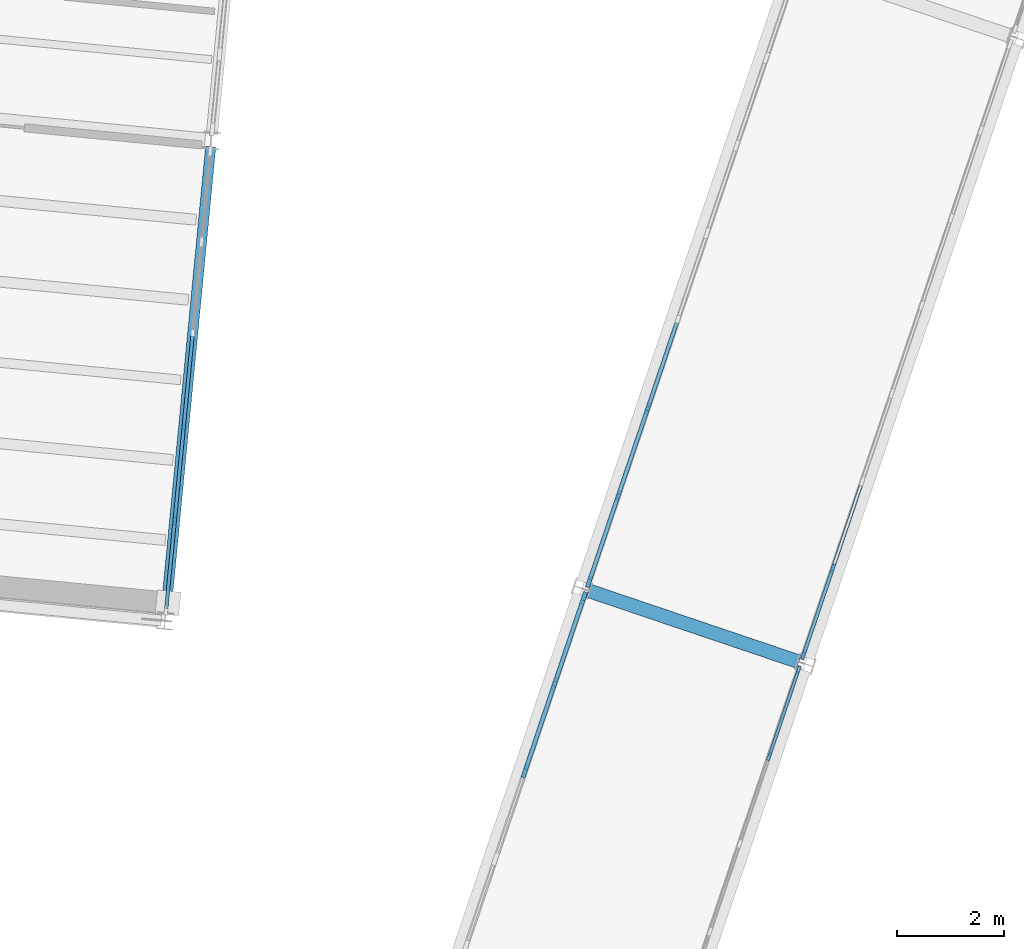
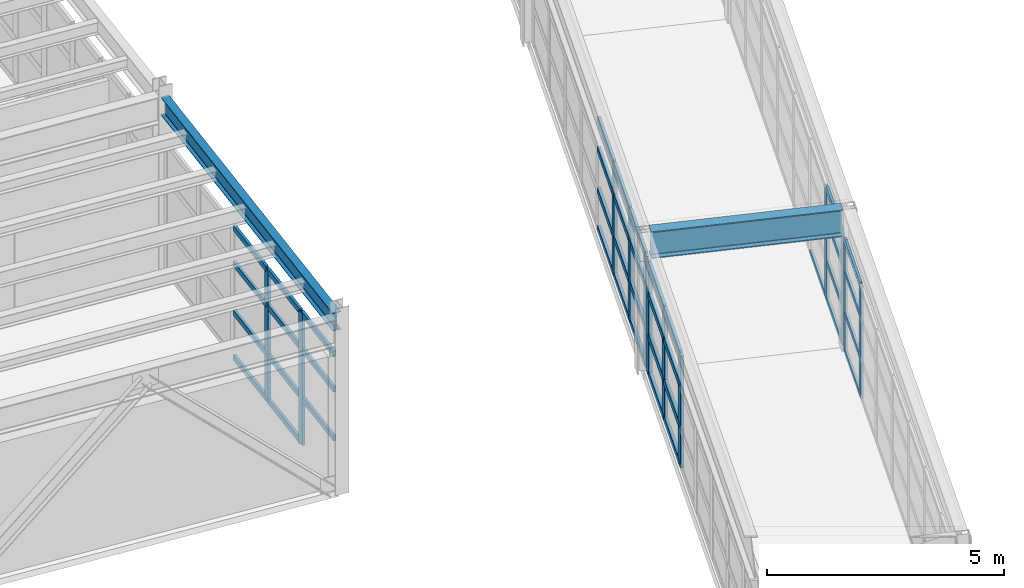
# One storey, part 36 of 102: 52 members, 2 beams, 5 elements without a shape of their own.
"""IFC4 building model written with IfcOpenShell, lengths in metres."""

from ifc_helpers import new_model, si_unit, direction, frame, origin, origin_2d, place, context, subcontext, project, spatial, rectangle, i_section, extrude, material, layer, layer_set, material_profile, profile_set, type_object, element, aggregate, save


model = new_model("IFC4")

# Units and contexts
model_context = context("Model", 3, precision=1e-05, world=origin(), true_north=direction((0.0, 1.0)))
body_context = subcontext(model_context, "Body", "Model", "MODEL_VIEW")
ifc_project = project(units=[si_unit("LENGTHUNIT", "METRE"), si_unit("AREAUNIT", "SQUARE_METRE"), si_unit("VOLUMEUNIT", "CUBIC_METRE"), si_unit("PLANEANGLEUNIT", "RADIAN"), si_unit("MASSUNIT", "GRAM", prefix="KILO")], contexts=[model_context])

# Site, building, storey
site_placement = place(None, origin())
site = spatial("IfcSite", under=ifc_project, at=site_placement, CompositionType="ELEMENT")
building_placement = place(site_placement, origin())
building = spatial("IfcBuilding", under=site, at=building_placement, Name="Vireo Bluff Cable Station", CompositionType="ELEMENT")
storey_placement = place(building_placement, frame((0.0, 0.0, 9.60009765625)))
storey = spatial("IfcBuildingStorey", under=building, at=storey_placement, Name="L02", CompositionType="ELEMENT", Elevation=9.60009765625)

# Curtain wall, members
ifc_material_1 = material(Name="Anodized Aluminium 6063-T6", Category="aluminium")
ifc_layer_1 = layer(ifc_material_1, 0.179931640625, Name="Anodized Aluminium 6063-T6")
ifc_layer_set_1 = layer_set([ifc_layer_1], Name="Anodized Aluminium 6063-T6")
curtain_wall_type_1 = type_object("IfcCurtainWallType", Name="CW-UNIT-1650", PredefinedType="USERDEFINED", material=ifc_layer_set_1)
curtain_wall_1_placement = place(storey_placement, origin())
curtain_wall_1 = element("IfcCurtainWall", 1, at=curtain_wall_1_placement, inside=storey, type_object=curtain_wall_type_1, Name="V3 L02 east curtain wall CW-080", ObjectType="UNITISED CURTAIN WALL", PredefinedType="USERDEFINED")
ifc_material_profile_1 = material_profile(ifc_material_1, rectangle(XDim=0.06494140625, YDim=0.179931640625, at=origin_2d()), Name="ALU-M-65X180")
ifc_profile_set_1 = profile_set([ifc_material_profile_1], Name="Anodized Aluminium 6063-T6")
member_type_1 = type_object("IfcMemberType", Name="CWM-01", PredefinedType="MULLION", material=ifc_profile_set_1)
member_1_placement = place(storey_placement, frame((103.92041015625, 67.16748046875, 0.0), z_axis=(0.0, 0.0, 1.0), x_axis=(0.995396197916, -0.095845757211, 0.0)))
member_1 = element("IfcMember", 2, at=member_1_placement, type_object=member_type_1, Name="CW-080 mullion 4", PredefinedType="MULLION", context=body_context, shape_type="SweptSolid", body=[
    extrude(rectangle(XDim=0.06494140625, YDim=0.179931640625, at=origin_2d()), origin(), (0.0, 0.0, 1.0), 3.39990234375),
])
member_2_placement = place(storey_placement, frame((103.754150390625, 65.44189453125, 0.0), z_axis=(0.0, 0.0, 1.0), x_axis=(0.995396197916, -0.095845757211, 0.0)))
member_2 = element("IfcMember", 3, at=member_2_placement, type_object=member_type_1, Name="CW-080 mullion 5", PredefinedType="MULLION", context=body_context, shape_type="SweptSolid", body=[
    extrude(rectangle(XDim=0.06494140625, YDim=0.179931640625, at=origin_2d()), origin(), (0.0, 0.0, 1.0), 3.39990234375),
])

ifc_layer_2 = layer(ifc_material_1, 0.159912109375, Name="Anodized Aluminium 6063-T6")
ifc_layer_set_2 = layer_set([ifc_layer_2], Name="Anodized Aluminium 6063-T6")
curtain_wall_type_2 = type_object("IfcCurtainWallType", Name="CW-STICK-1750", PredefinedType="USERDEFINED", material=ifc_layer_set_2)
curtain_wall_2_placement = place(storey_placement, origin())
curtain_wall_2 = element("IfcCurtainWall", 4, at=curtain_wall_2_placement, inside=storey, type_object=curtain_wall_type_2, Name="SKYBR L02 HAUL-DRIVE-2L curtain wall CW-148", ObjectType="STICK CURTAIN WALL", PredefinedType="USERDEFINED")
member_3_placement = place(storey_placement, frame((115.478271484375, 62.92138671875, 0.0), z_axis=(0.0, 0.0, 1.0), x_axis=(-0.9472950728, 0.320362365221, 0.0)))
member_3 = element("IfcMember", 5, at=member_3_placement, type_object=member_type_1, Name="CW-148 mullion 1", PredefinedType="MULLION", context=body_context, shape_type="SweptSolid", body=[
    extrude(rectangle(XDim=0.06494140625, YDim=0.179931640625, at=origin_2d()), origin(), (0.0, 0.0, 1.0), 2.8798828125),
])
member_4_placement = place(storey_placement, frame((116.020751953125, 64.525390625, 0.0), z_axis=(0.0, 0.0, 1.0), x_axis=(-0.9472950728, 0.320362365221, 0.0)))
member_4 = element("IfcMember", 6, at=member_4_placement, type_object=member_type_1, Name="CW-148 mullion 2", PredefinedType="MULLION", context=body_context, shape_type="SweptSolid", body=[
    extrude(rectangle(XDim=0.06494140625, YDim=0.179931640625, at=origin_2d()), origin(), (0.0, 0.0, 1.0), 2.8798828125),
])

ifc_layer_3 = layer(ifc_material_1, 0.159912109375, Name="Anodized Aluminium 6063-T6")
ifc_layer_set_3 = layer_set([ifc_layer_3], Name="Anodized Aluminium 6063-T6")
curtain_wall_type_3 = type_object("IfcCurtainWallType", Name="CW-STICK-1850", PredefinedType="USERDEFINED", material=ifc_layer_set_3)
curtain_wall_3_placement = place(storey_placement, origin())
curtain_wall_3 = element("IfcCurtainWall", 7, at=curtain_wall_3_placement, inside=storey, type_object=curtain_wall_type_3, Name="SKYBR L02 HAUL-DRIVE-2R curtain wall CW-149", ObjectType="STICK CURTAIN WALL", PredefinedType="USERDEFINED")
ifc_material_profile_2 = material_profile(ifc_material_1, rectangle(XDim=0.074951171875, YDim=0.2099609375, at=origin_2d()), Name="ALU-M-75X210")
ifc_profile_set_2 = profile_set([ifc_material_profile_2], Name="Anodized Aluminium 6063-T6")
member_type_2 = type_object("IfcMemberType", Name="CWM-02", PredefinedType="MULLION", material=ifc_profile_set_2)
member_5_placement = place(storey_placement, frame((111.478515625, 64.279296875, 0.0), z_axis=(0.0, 0.0, 1.0), x_axis=(-0.9472950728, 0.320362365221, 0.0)))
member_5 = element("IfcMember", 8, at=member_5_placement, type_object=member_type_2, Name="CW-149 mullion 1", PredefinedType="MULLION", context=body_context, shape_type="SweptSolid", body=[
    extrude(rectangle(XDim=0.074951171875, YDim=0.2099609375, at=origin_2d()), origin(), (0.0, 0.0, 1.0), 2.8798828125),
])
member_6_placement = place(storey_placement, frame((112.019287109375, 65.87841796875, 0.0), z_axis=(0.0, 0.0, 1.0), x_axis=(-0.9472950728, 0.320362365221, 0.0)))
member_6 = element("IfcMember", 9, at=member_6_placement, type_object=member_type_2, Name="CW-149 mullion 2", PredefinedType="MULLION", context=body_context, shape_type="SweptSolid", body=[
    extrude(rectangle(XDim=0.074951171875, YDim=0.2099609375, at=origin_2d()), origin(), (0.0, 0.0, 1.0), 2.8798828125),
])
member_7_placement = place(storey_placement, frame((112.572265625, 67.51318359375, 0.0), z_axis=(0.0, 0.0, 1.0), x_axis=(-0.9472950728, 0.320362365221, 0.0)))
member_7 = element("IfcMember", 10, at=member_7_placement, type_object=member_type_2, Name="CW-149 mullion 3", PredefinedType="MULLION", context=body_context, shape_type="SweptSolid", body=[
    extrude(rectangle(XDim=0.074951171875, YDim=0.2099609375, at=origin_2d()), origin(), (0.0, 0.0, 1.0), 2.8798828125),
])

curtain_wall_4_placement = place(storey_placement, origin())
curtain_wall_4 = element("IfcCurtainWall", 11, at=curtain_wall_4_placement, inside=storey, type_object=curtain_wall_type_2, Name="SKYBR L02 HAUL-DRIVE-1L curtain wall CW-146", ObjectType="STICK CURTAIN WALL", PredefinedType="USERDEFINED")
ifc_material_profile_3 = material_profile(ifc_material_1, rectangle(XDim=0.06005859375, YDim=0.159912109375, at=origin_2d()), Name="ALU-M-60X160")
ifc_profile_set_3 = profile_set([ifc_material_profile_3], Name="Anodized Aluminium 6063-T6")
member_type_3 = type_object("IfcMemberType", Name="CWM-03", PredefinedType="MULLION", material=ifc_profile_set_3)
member_8_placement = place(storey_placement, frame((114.83837890625, 61.029052734375, 0.0), z_axis=(0.0, 0.0, 1.0), x_axis=(-0.947294633724, 0.32036366354, 0.0)))
member_8 = element("IfcMember", 12, at=member_8_placement, type_object=member_type_3, Name="CW-146 mullion 7", PredefinedType="MULLION", context=body_context, shape_type="SweptSolid", body=[
    extrude(rectangle(XDim=0.06005859375, YDim=0.159912109375, at=origin_2d()), origin(), (0.0, 0.0, 1.0), 2.8798828125),
])
member_9_placement = place(storey_placement, frame((115.381591796875, 62.634765625, 0.0), z_axis=(0.0, 0.0, 1.0), x_axis=(-0.947294633724, 0.32036366354, 0.0)))
member_9 = element("IfcMember", 13, at=member_9_placement, type_object=member_type_3, Name="CW-146 mullion 8", PredefinedType="MULLION", context=body_context, shape_type="SweptSolid", body=[
    extrude(rectangle(XDim=0.06005859375, YDim=0.159912109375, at=origin_2d()), origin(), (0.0, 0.0, 1.0), 2.8798828125),
])

curtain_wall_5_placement = place(storey_placement, origin())
curtain_wall_5 = element("IfcCurtainWall", 14, at=curtain_wall_5_placement, inside=storey, type_object=curtain_wall_type_3, Name="SKYBR L02 HAUL-DRIVE-1R curtain wall CW-147", ObjectType="STICK CURTAIN WALL", PredefinedType="USERDEFINED")
ifc_material_profile_4 = material_profile(ifc_material_1, rectangle(XDim=0.080078125, YDim=0.239990234375, at=origin_2d()), Name="ALU-M-80X240")
ifc_profile_set_4 = profile_set([ifc_material_profile_4], Name="Anodized Aluminium 6063-T6")
member_type_4 = type_object("IfcMemberType", Name="CWM-04", PredefinedType="MULLION", material=ifc_profile_set_4)
member_10_placement = place(storey_placement, frame((110.284423828125, 60.748046875, 0.0), z_axis=(0.0, 0.0, 1.0), x_axis=(-0.947294633724, 0.32036366354, 0.0)))
member_10 = element("IfcMember", 15, at=member_10_placement, type_object=member_type_4, Name="CW-147 mullion 6", PredefinedType="MULLION", context=body_context, shape_type="SweptSolid", body=[
    extrude(rectangle(XDim=0.080078125, YDim=0.239990234375, at=origin_2d()), origin(), (0.0, 0.0, 1.0), 2.8798828125),
])
member_11_placement = place(storey_placement, frame((110.837158203125, 62.38232421875, 0.0), z_axis=(0.0, 0.0, 1.0), x_axis=(-0.947294633724, 0.32036366354, 0.0)))
member_11 = element("IfcMember", 16, at=member_11_placement, type_object=member_type_4, Name="CW-147 mullion 7", PredefinedType="MULLION", context=body_context, shape_type="SweptSolid", body=[
    extrude(rectangle(XDim=0.080078125, YDim=0.239990234375, at=origin_2d()), origin(), (0.0, 0.0, 1.0), 2.8798828125),
])
member_12_placement = place(storey_placement, frame((111.376953125, 63.978515625, 0.0), z_axis=(0.0, 0.0, 1.0), x_axis=(-0.947294633724, 0.32036366354, 0.0)))
member_12 = element("IfcMember", 17, at=member_12_placement, type_object=member_type_4, Name="CW-147 mullion 8", PredefinedType="MULLION", context=body_context, shape_type="SweptSolid", body=[
    extrude(rectangle(XDim=0.080078125, YDim=0.239990234375, at=origin_2d()), origin(), (0.0, 0.0, 1.0), 2.8798828125),
])

# Member
ifc_material_profile_5 = material_profile(ifc_material_1, rectangle(XDim=0.06494140625, YDim=0.139892578125, at=origin_2d()), Name="ALU-T-65X140")
ifc_profile_set_5 = profile_set([ifc_material_profile_5], Name="Anodized Aluminium 6063-T6")
member_type_5 = type_object("IfcMemberType", Name="CWT-01", PredefinedType="USERDEFINED", material=ifc_profile_set_5)
member_13_placement = place(storey_placement, frame((104.08349609375, 68.860595703125, 0.032470703125), z_axis=(-0.095982837108, -0.995382989095, 0.0), x_axis=(0.995382989095, -0.095982837108, 0.0)))
member_13 = element("IfcMember", 18, at=member_13_placement, type_object=member_type_5, Name="CW-080 transom 3.1", ObjectType="TRANSOM", PredefinedType="USERDEFINED", context=body_context, shape_type="SweptSolid", body=[
    extrude(rectangle(XDim=0.06494140625, YDim=0.139892578125, at=origin_2d()), origin(), (0.0, 0.0, 1.0), 1.668701171875),
])

member_14_placement = place(storey_placement, frame((104.08349609375, 68.860595703125, 1.18994140625), z_axis=(-0.095982837108, -0.995382989095, 0.0), x_axis=(0.995382989095, -0.095982837108, 0.0)))
member_14 = element("IfcMember", 19, at=member_14_placement, type_object=member_type_5, Name="CW-080 transom 3.2", ObjectType="TRANSOM", PredefinedType="USERDEFINED", context=body_context, shape_type="SweptSolid", body=[
    extrude(rectangle(XDim=0.06494140625, YDim=0.139892578125, at=origin_2d()), origin(), (0.0, 0.0, 1.0), 1.668701171875),
])

member_15_placement = place(storey_placement, frame((104.08349609375, 68.860595703125, 2.447998046875), z_axis=(-0.095982837108, -0.995382989095, 0.0), x_axis=(0.995382989095, -0.095982837108, 0.0)))
member_15 = element("IfcMember", 20, at=member_15_placement, type_object=member_type_5, Name="CW-080 transom 3.3", ObjectType="TRANSOM", PredefinedType="USERDEFINED", context=body_context, shape_type="SweptSolid", body=[
    extrude(rectangle(XDim=0.06494140625, YDim=0.139892578125, at=origin_2d()), origin(), (0.0, 0.0, 1.0), 1.668701171875),
])

member_16_placement = place(storey_placement, frame((104.08349609375, 68.860595703125, 3.367431640625), z_axis=(-0.095982837108, -0.995382989095, 0.0), x_axis=(0.995382989095, -0.095982837108, 0.0)))
member_16 = element("IfcMember", 21, at=member_16_placement, type_object=member_type_5, Name="CW-080 transom 3.4", ObjectType="TRANSOM", PredefinedType="USERDEFINED", context=body_context, shape_type="SweptSolid", body=[
    extrude(rectangle(XDim=0.06494140625, YDim=0.139892578125, at=origin_2d()), origin(), (0.0, 0.0, 1.0), 1.668701171875),
])

member_17_placement = place(storey_placement, frame((103.917236328125, 67.135009765625, 0.032470703125), z_axis=(-0.095837866715, -0.995396957652, 0.0), x_axis=(0.995396957652, -0.095837866715, 0.0)))
member_17 = element("IfcMember", 22, at=member_17_placement, type_object=member_type_5, Name="CW-080 transom 4.1", ObjectType="TRANSOM", PredefinedType="USERDEFINED", context=body_context, shape_type="SweptSolid", body=[
    extrude(rectangle(XDim=0.06494140625, YDim=0.139892578125, at=origin_2d()), origin(), (0.0, 0.0, 1.0), 1.66845703125),
])

member_18_placement = place(storey_placement, frame((103.917236328125, 67.135009765625, 1.18994140625), z_axis=(-0.095837866715, -0.995396957652, 0.0), x_axis=(0.995396957652, -0.095837866715, 0.0)))
member_18 = element("IfcMember", 23, at=member_18_placement, type_object=member_type_5, Name="CW-080 transom 4.2", ObjectType="TRANSOM", PredefinedType="USERDEFINED", context=body_context, shape_type="SweptSolid", body=[
    extrude(rectangle(XDim=0.06494140625, YDim=0.139892578125, at=origin_2d()), origin(), (0.0, 0.0, 1.0), 1.66845703125),
])

member_19_placement = place(storey_placement, frame((103.917236328125, 67.135009765625, 2.447998046875), z_axis=(-0.095837866715, -0.995396957652, 0.0), x_axis=(0.995396957652, -0.095837866715, 0.0)))
member_19 = element("IfcMember", 24, at=member_19_placement, type_object=member_type_5, Name="CW-080 transom 4.3", ObjectType="TRANSOM", PredefinedType="USERDEFINED", context=body_context, shape_type="SweptSolid", body=[
    extrude(rectangle(XDim=0.06494140625, YDim=0.139892578125, at=origin_2d()), origin(), (0.0, 0.0, 1.0), 1.66845703125),
])

member_20_placement = place(storey_placement, frame((103.917236328125, 67.135009765625, 3.367431640625), z_axis=(-0.095837866715, -0.995396957652, 0.0), x_axis=(0.995396957652, -0.095837866715, 0.0)))
member_20 = element("IfcMember", 25, at=member_20_placement, type_object=member_type_5, Name="CW-080 transom 4.4", ObjectType="TRANSOM", PredefinedType="USERDEFINED", context=body_context, shape_type="SweptSolid", body=[
    extrude(rectangle(XDim=0.06494140625, YDim=0.139892578125, at=origin_2d()), origin(), (0.0, 0.0, 1.0), 1.66845703125),
])

member_21_placement = place(storey_placement, frame((103.7509765625, 65.409423828125, 1.18994140625), z_axis=(-0.095794859035, -0.995401097539, 0.0), x_axis=(0.995401097539, -0.095794859035, 0.0)))
member_21 = element("IfcMember", 26, at=member_21_placement, type_object=member_type_5, Name="CW-080 transom 5.2", ObjectType="TRANSOM", PredefinedType="USERDEFINED", context=body_context, shape_type="SweptSolid", body=[
    extrude(rectangle(XDim=0.06494140625, YDim=0.139892578125, at=origin_2d()), origin(), (0.0, 0.0, 1.0), 1.63623046875),
])

member_22_placement = place(storey_placement, frame((103.7509765625, 65.409423828125, 2.447998046875), z_axis=(-0.095794859035, -0.995401097539, 0.0), x_axis=(0.995401097539, -0.095794859035, 0.0)))
member_22 = element("IfcMember", 27, at=member_22_placement, type_object=member_type_5, Name="CW-080 transom 5.3", ObjectType="TRANSOM", PredefinedType="USERDEFINED", context=body_context, shape_type="SweptSolid", body=[
    extrude(rectangle(XDim=0.06494140625, YDim=0.139892578125, at=origin_2d()), origin(), (0.0, 0.0, 1.0), 1.63623046875),
])

member_23_placement = place(storey_placement, frame((103.7509765625, 65.409423828125, 3.367431640625), z_axis=(-0.095794859035, -0.995401097539, 0.0), x_axis=(0.995401097539, -0.095794859035, 0.0)))
member_23 = element("IfcMember", 28, at=member_23_placement, type_object=member_type_5, Name="CW-080 transom 5.4", ObjectType="TRANSOM", PredefinedType="USERDEFINED", context=body_context, shape_type="SweptSolid", body=[
    extrude(rectangle(XDim=0.06494140625, YDim=0.139892578125, at=origin_2d()), origin(), (0.0, 0.0, 1.0), 1.63623046875),
])

aggregate(curtain_wall_1, [member_1, member_2, member_13, member_14, member_15, member_16, member_17, member_18, member_19, member_20, member_21, member_22, member_23])

member_24_placement = place(storey_placement, frame((115.48876953125, 62.9521484375, 0.032470703125), z_axis=(0.320318783459, 0.947309810444, 0.0), x_axis=(-0.947309810444, 0.320318783459, 0.0)))
member_24 = element("IfcMember", 29, at=member_24_placement, type_object=member_type_5, Name="CW-148 transom 1.1", ObjectType="TRANSOM", PredefinedType="USERDEFINED", context=body_context, shape_type="SweptSolid", body=[
    extrude(rectangle(XDim=0.06494140625, YDim=0.139892578125, at=origin_2d()), origin(), (0.0, 0.0, 1.0), 1.6279296875),
])

member_25_placement = place(storey_placement, frame((115.48876953125, 62.9521484375, 1.0078125), z_axis=(0.320318783459, 0.947309810444, 0.0), x_axis=(-0.947309810444, 0.320318783459, 0.0)))
member_25 = element("IfcMember", 30, at=member_25_placement, type_object=member_type_5, Name="CW-148 transom 1.2", ObjectType="TRANSOM", PredefinedType="USERDEFINED", context=body_context, shape_type="SweptSolid", body=[
    extrude(rectangle(XDim=0.06494140625, YDim=0.139892578125, at=origin_2d()), origin(), (0.0, 0.0, 1.0), 1.6279296875),
])

member_26_placement = place(storey_placement, frame((115.48876953125, 62.9521484375, 2.073486328125), z_axis=(0.320318783459, 0.947309810444, 0.0), x_axis=(-0.947309810444, 0.320318783459, 0.0)))
member_26 = element("IfcMember", 31, at=member_26_placement, type_object=member_type_5, Name="CW-148 transom 1.3", ObjectType="TRANSOM", PredefinedType="USERDEFINED", context=body_context, shape_type="SweptSolid", body=[
    extrude(rectangle(XDim=0.06494140625, YDim=0.139892578125, at=origin_2d()), origin(), (0.0, 0.0, 1.0), 1.6279296875),
])

member_27_placement = place(storey_placement, frame((115.48876953125, 62.9521484375, 2.847412109375), z_axis=(0.320318783459, 0.947309810444, 0.0), x_axis=(-0.947309810444, 0.320318783459, 0.0)))
member_27 = element("IfcMember", 32, at=member_27_placement, type_object=member_type_5, Name="CW-148 transom 1.4", ObjectType="TRANSOM", PredefinedType="USERDEFINED", context=body_context, shape_type="SweptSolid", body=[
    extrude(rectangle(XDim=0.06494140625, YDim=0.139892578125, at=origin_2d()), origin(), (0.0, 0.0, 1.0), 1.6279296875),
])

member_28_placement = place(storey_placement, frame((116.03125, 64.55615234375, 0.032470703125), z_axis=(0.320370895193, 0.947292188036, 0.0), x_axis=(-0.947292188036, 0.320370895193, 0.0)))
member_28 = element("IfcMember", 33, at=member_28_placement, type_object=member_type_5, Name="CW-148 transom 2.1", ObjectType="TRANSOM", PredefinedType="USERDEFINED", context=body_context, shape_type="SweptSolid", body=[
    extrude(rectangle(XDim=0.06494140625, YDim=0.139892578125, at=origin_2d()), origin(), (0.0, 0.0, 1.0), 1.660400390625),
])

aggregate(curtain_wall_2, [member_3, member_4, member_24, member_25, member_26, member_27, member_28])

ifc_material_profile_6 = material_profile(ifc_material_1, rectangle(XDim=0.074951171875, YDim=0.159912109375, at=origin_2d()), Name="ALU-T-75X160")
ifc_profile_set_6 = profile_set([ifc_material_profile_6], Name="Anodized Aluminium 6063-T6")
member_type_6 = type_object("IfcMemberType", Name="CWT-02", PredefinedType="USERDEFINED", material=ifc_profile_set_6)
member_29_placement = place(storey_placement, frame((111.490478515625, 64.31494140625, 0.037353515625), z_axis=(0.320401881435, 0.947281708032, 0.0), x_axis=(-0.947281708032, 0.320401881435, 0.0)))
member_29 = element("IfcMember", 34, at=member_29_placement, type_object=member_type_6, Name="CW-149 transom 1.1", ObjectType="TRANSOM", PredefinedType="USERDEFINED", context=body_context, shape_type="SweptSolid", body=[
    extrude(rectangle(XDim=0.074951171875, YDim=0.159912109375, at=origin_2d()), origin(), (0.0, 0.0, 1.0), 1.613037109375),
])

member_30_placement = place(storey_placement, frame((111.490478515625, 64.31494140625, 1.0078125), z_axis=(0.320401881435, 0.947281708032, 0.0), x_axis=(-0.947281708032, 0.320401881435, 0.0)))
member_30 = element("IfcMember", 35, at=member_30_placement, type_object=member_type_6, Name="CW-149 transom 1.2", ObjectType="TRANSOM", PredefinedType="USERDEFINED", context=body_context, shape_type="SweptSolid", body=[
    extrude(rectangle(XDim=0.074951171875, YDim=0.159912109375, at=origin_2d()), origin(), (0.0, 0.0, 1.0), 1.613037109375),
])

member_31_placement = place(storey_placement, frame((111.490478515625, 64.31494140625, 2.073486328125), z_axis=(0.320401881435, 0.947281708032, 0.0), x_axis=(-0.947281708032, 0.320401881435, 0.0)))
member_31 = element("IfcMember", 36, at=member_31_placement, type_object=member_type_6, Name="CW-149 transom 1.3", ObjectType="TRANSOM", PredefinedType="USERDEFINED", context=body_context, shape_type="SweptSolid", body=[
    extrude(rectangle(XDim=0.074951171875, YDim=0.159912109375, at=origin_2d()), origin(), (0.0, 0.0, 1.0), 1.613037109375),
])

member_32_placement = place(storey_placement, frame((111.490478515625, 64.31494140625, 2.84228515625), z_axis=(0.320401881435, 0.947281708032, 0.0), x_axis=(-0.947281708032, 0.320401881435, 0.0)))
member_32 = element("IfcMember", 37, at=member_32_placement, type_object=member_type_6, Name="CW-149 transom 1.4", ObjectType="TRANSOM", PredefinedType="USERDEFINED", context=body_context, shape_type="SweptSolid", body=[
    extrude(rectangle(XDim=0.074951171875, YDim=0.159912109375, at=origin_2d()), origin(), (0.0, 0.0, 1.0), 1.613037109375),
])

member_33_placement = place(storey_placement, frame((112.03125, 65.9140625, 0.037353515625), z_axis=(0.320396070673, 0.947283673404, 0.0), x_axis=(-0.947283673404, 0.320396070673, 0.0)))
member_33 = element("IfcMember", 38, at=member_33_placement, type_object=member_type_6, Name="CW-149 transom 2.1", ObjectType="TRANSOM", PredefinedType="USERDEFINED", context=body_context, shape_type="SweptSolid", body=[
    extrude(rectangle(XDim=0.074951171875, YDim=0.159912109375, at=origin_2d()), origin(), (0.0, 0.0, 1.0), 1.650390625),
])

member_34_placement = place(storey_placement, frame((112.03125, 65.9140625, 1.0078125), z_axis=(0.320396070673, 0.947283673404, 0.0), x_axis=(-0.947283673404, 0.320396070673, 0.0)))
member_34 = element("IfcMember", 39, at=member_34_placement, type_object=member_type_6, Name="CW-149 transom 2.2", ObjectType="TRANSOM", PredefinedType="USERDEFINED", context=body_context, shape_type="SweptSolid", body=[
    extrude(rectangle(XDim=0.074951171875, YDim=0.159912109375, at=origin_2d()), origin(), (0.0, 0.0, 1.0), 1.650390625),
])

member_35_placement = place(storey_placement, frame((112.03125, 65.9140625, 2.073486328125), z_axis=(0.320396070673, 0.947283673404, 0.0), x_axis=(-0.947283673404, 0.320396070673, 0.0)))
member_35 = element("IfcMember", 40, at=member_35_placement, type_object=member_type_6, Name="CW-149 transom 2.3", ObjectType="TRANSOM", PredefinedType="USERDEFINED", context=body_context, shape_type="SweptSolid", body=[
    extrude(rectangle(XDim=0.074951171875, YDim=0.159912109375, at=origin_2d()), origin(), (0.0, 0.0, 1.0), 1.650390625),
])

member_36_placement = place(storey_placement, frame((112.03125, 65.9140625, 2.84228515625), z_axis=(0.320396070673, 0.947283673404, 0.0), x_axis=(-0.947283673404, 0.320396070673, 0.0)))
member_36 = element("IfcMember", 41, at=member_36_placement, type_object=member_type_6, Name="CW-149 transom 2.4", ObjectType="TRANSOM", PredefinedType="USERDEFINED", context=body_context, shape_type="SweptSolid", body=[
    extrude(rectangle(XDim=0.074951171875, YDim=0.159912109375, at=origin_2d()), origin(), (0.0, 0.0, 1.0), 1.650390625),
])

member_37_placement = place(storey_placement, frame((112.584228515625, 67.548583984375, 0.037353515625), z_axis=(0.320351181812, 0.947298854803, 0.0), x_axis=(-0.947298854803, 0.320351181812, 0.0)))
member_37 = element("IfcMember", 42, at=member_37_placement, type_object=member_type_6, Name="CW-149 transom 3.1", ObjectType="TRANSOM", PredefinedType="USERDEFINED", context=body_context, shape_type="SweptSolid", body=[
    extrude(rectangle(XDim=0.074951171875, YDim=0.159912109375, at=origin_2d()), origin(), (0.0, 0.0, 1.0), 1.650634765625),
])

member_38_placement = place(storey_placement, frame((112.584228515625, 67.548583984375, 1.0078125), z_axis=(0.320351181812, 0.947298854803, 0.0), x_axis=(-0.947298854803, 0.320351181812, 0.0)))
member_38 = element("IfcMember", 43, at=member_38_placement, type_object=member_type_6, Name="CW-149 transom 3.2", ObjectType="TRANSOM", PredefinedType="USERDEFINED", context=body_context, shape_type="SweptSolid", body=[
    extrude(rectangle(XDim=0.074951171875, YDim=0.159912109375, at=origin_2d()), origin(), (0.0, 0.0, 1.0), 1.650634765625),
])

member_39_placement = place(storey_placement, frame((112.584228515625, 67.548583984375, 2.073486328125), z_axis=(0.320351181812, 0.947298854803, 0.0), x_axis=(-0.947298854803, 0.320351181812, 0.0)))
member_39 = element("IfcMember", 44, at=member_39_placement, type_object=member_type_6, Name="CW-149 transom 3.3", ObjectType="TRANSOM", PredefinedType="USERDEFINED", context=body_context, shape_type="SweptSolid", body=[
    extrude(rectangle(XDim=0.074951171875, YDim=0.159912109375, at=origin_2d()), origin(), (0.0, 0.0, 1.0), 1.650634765625),
])

member_40_placement = place(storey_placement, frame((112.584228515625, 67.548583984375, 2.84228515625), z_axis=(0.320351181812, 0.947298854803, 0.0), x_axis=(-0.947298854803, 0.320351181812, 0.0)))
member_40 = element("IfcMember", 45, at=member_40_placement, type_object=member_type_6, Name="CW-149 transom 3.4", ObjectType="TRANSOM", PredefinedType="USERDEFINED", context=body_context, shape_type="SweptSolid", body=[
    extrude(rectangle(XDim=0.074951171875, YDim=0.159912109375, at=origin_2d()), origin(), (0.0, 0.0, 1.0), 1.650634765625),
])

aggregate(curtain_wall_3, [member_5, member_6, member_7, member_29, member_30, member_31, member_32, member_33, member_34, member_35, member_36, member_37, member_38, member_39, member_40])

ifc_material_profile_7 = material_profile(ifc_material_1, rectangle(XDim=0.06005859375, YDim=0.1201171875, at=origin_2d()), Name="ALU-T-60X120")
ifc_profile_set_7 = profile_set([ifc_material_profile_7], Name="Anodized Aluminium 6063-T6")
member_type_7 = type_object("IfcMemberType", Name="CWT-03", PredefinedType="USERDEFINED", material=ifc_profile_set_7)
member_41_placement = place(storey_placement, frame((114.84814453125, 61.057373046875, 0.02978515625), z_axis=(0.320256106825, 0.947331001309, 0.0), x_axis=(-0.947331001309, 0.320256106825, 0.0)))
member_41 = element("IfcMember", 46, at=member_41_placement, type_object=member_type_7, Name="CW-146 transom 7.1", ObjectType="TRANSOM", PredefinedType="USERDEFINED", context=body_context, shape_type="SweptSolid", body=[
    extrude(rectangle(XDim=0.06005859375, YDim=0.1201171875, at=origin_2d()), origin(), (0.0, 0.0, 1.0), 1.63525390625),
])

member_42_placement = place(storey_placement, frame((114.84814453125, 61.057373046875, 1.0078125), z_axis=(0.320256106825, 0.947331001309, 0.0), x_axis=(-0.947331001309, 0.320256106825, 0.0)))
member_42 = element("IfcMember", 47, at=member_42_placement, type_object=member_type_7, Name="CW-146 transom 7.2", ObjectType="TRANSOM", PredefinedType="USERDEFINED", context=body_context, shape_type="SweptSolid", body=[
    extrude(rectangle(XDim=0.06005859375, YDim=0.1201171875, at=origin_2d()), origin(), (0.0, 0.0, 1.0), 1.63525390625),
])

member_43_placement = place(storey_placement, frame((114.84814453125, 61.057373046875, 2.073486328125), z_axis=(0.320256106825, 0.947331001309, 0.0), x_axis=(-0.947331001309, 0.320256106825, 0.0)))
member_43 = element("IfcMember", 48, at=member_43_placement, type_object=member_type_7, Name="CW-146 transom 7.3", ObjectType="TRANSOM", PredefinedType="USERDEFINED", context=body_context, shape_type="SweptSolid", body=[
    extrude(rectangle(XDim=0.06005859375, YDim=0.1201171875, at=origin_2d()), origin(), (0.0, 0.0, 1.0), 1.63525390625),
])

member_44_placement = place(storey_placement, frame((114.84814453125, 61.057373046875, 2.849853515625), z_axis=(0.320256106825, 0.947331001309, 0.0), x_axis=(-0.947331001309, 0.320256106825, 0.0)))
member_44 = element("IfcMember", 49, at=member_44_placement, type_object=member_type_7, Name="CW-146 transom 7.4", ObjectType="TRANSOM", PredefinedType="USERDEFINED", context=body_context, shape_type="SweptSolid", body=[
    extrude(rectangle(XDim=0.06005859375, YDim=0.1201171875, at=origin_2d()), origin(), (0.0, 0.0, 1.0), 1.63525390625),
])

aggregate(curtain_wall_4, [member_8, member_9, member_41, member_42, member_43, member_44])

ifc_material_profile_8 = material_profile(ifc_material_1, rectangle(XDim=0.080078125, YDim=0.175048828125, at=origin_2d()), Name="ALU-T-80X175")
ifc_profile_set_8 = profile_set([ifc_material_profile_8], Name="Anodized Aluminium 6063-T6")
member_type_8 = type_object("IfcMemberType", Name="CWT-04", PredefinedType="USERDEFINED", material=ifc_profile_set_8)
member_45_placement = place(storey_placement, frame((110.297119140625, 60.785888671875, 0.039794921875), z_axis=(0.320409753843, 0.947279045288, 0.0), x_axis=(-0.947279045288, 0.320409753843, 0.0)))
member_45 = element("IfcMember", 50, at=member_45_placement, type_object=member_type_8, Name="CW-147 transom 6.1", ObjectType="TRANSOM", PredefinedType="USERDEFINED", context=body_context, shape_type="SweptSolid", body=[
    extrude(rectangle(XDim=0.080078125, YDim=0.175048828125, at=origin_2d()), origin(), (0.0, 0.0, 1.0), 1.64501953125),
])

member_46_placement = place(storey_placement, frame((110.297119140625, 60.785888671875, 1.0078125), z_axis=(0.320409753843, 0.947279045288, 0.0), x_axis=(-0.947279045288, 0.320409753843, 0.0)))
member_46 = element("IfcMember", 51, at=member_46_placement, type_object=member_type_8, Name="CW-147 transom 6.2", ObjectType="TRANSOM", PredefinedType="USERDEFINED", context=body_context, shape_type="SweptSolid", body=[
    extrude(rectangle(XDim=0.080078125, YDim=0.175048828125, at=origin_2d()), origin(), (0.0, 0.0, 1.0), 1.64501953125),
])

member_47_placement = place(storey_placement, frame((110.297119140625, 60.785888671875, 2.073486328125), z_axis=(0.320409753843, 0.947279045288, 0.0), x_axis=(-0.947279045288, 0.320409753843, 0.0)))
member_47 = element("IfcMember", 52, at=member_47_placement, type_object=member_type_8, Name="CW-147 transom 6.3", ObjectType="TRANSOM", PredefinedType="USERDEFINED", context=body_context, shape_type="SweptSolid", body=[
    extrude(rectangle(XDim=0.080078125, YDim=0.175048828125, at=origin_2d()), origin(), (0.0, 0.0, 1.0), 1.64501953125),
])

member_48_placement = place(storey_placement, frame((110.297119140625, 60.785888671875, 2.83984375), z_axis=(0.320409753843, 0.947279045288, 0.0), x_axis=(-0.947279045288, 0.320409753843, 0.0)))
member_48 = element("IfcMember", 53, at=member_48_placement, type_object=member_type_8, Name="CW-147 transom 6.4", ObjectType="TRANSOM", PredefinedType="USERDEFINED", context=body_context, shape_type="SweptSolid", body=[
    extrude(rectangle(XDim=0.080078125, YDim=0.175048828125, at=origin_2d()), origin(), (0.0, 0.0, 1.0), 1.64501953125),
])

member_49_placement = place(storey_placement, frame((110.849853515625, 62.420166015625, 0.039794921875), z_axis=(0.320331618583, 0.94730547034, 0.0), x_axis=(-0.94730547034, 0.320331618583, 0.0)))
member_49 = element("IfcMember", 54, at=member_49_placement, type_object=member_type_8, Name="CW-147 transom 7.1", ObjectType="TRANSOM", PredefinedType="USERDEFINED", context=body_context, shape_type="SweptSolid", body=[
    extrude(rectangle(XDim=0.080078125, YDim=0.175048828125, at=origin_2d()), origin(), (0.0, 0.0, 1.0), 1.60498046875),
])

member_50_placement = place(storey_placement, frame((110.849853515625, 62.420166015625, 1.0078125), z_axis=(0.320331618583, 0.94730547034, 0.0), x_axis=(-0.94730547034, 0.320331618583, 0.0)))
member_50 = element("IfcMember", 55, at=member_50_placement, type_object=member_type_8, Name="CW-147 transom 7.2", ObjectType="TRANSOM", PredefinedType="USERDEFINED", context=body_context, shape_type="SweptSolid", body=[
    extrude(rectangle(XDim=0.080078125, YDim=0.175048828125, at=origin_2d()), origin(), (0.0, 0.0, 1.0), 1.60498046875),
])

member_51_placement = place(storey_placement, frame((110.849853515625, 62.420166015625, 2.073486328125), z_axis=(0.320331618583, 0.94730547034, 0.0), x_axis=(-0.94730547034, 0.320331618583, 0.0)))
member_51 = element("IfcMember", 56, at=member_51_placement, type_object=member_type_8, Name="CW-147 transom 7.3", ObjectType="TRANSOM", PredefinedType="USERDEFINED", context=body_context, shape_type="SweptSolid", body=[
    extrude(rectangle(XDim=0.080078125, YDim=0.175048828125, at=origin_2d()), origin(), (0.0, 0.0, 1.0), 1.60498046875),
])

member_52_placement = place(storey_placement, frame((110.849853515625, 62.420166015625, 2.83984375), z_axis=(0.320331618583, 0.94730547034, 0.0), x_axis=(-0.94730547034, 0.320331618583, 0.0)))
member_52 = element("IfcMember", 57, at=member_52_placement, type_object=member_type_8, Name="CW-147 transom 7.4", ObjectType="TRANSOM", PredefinedType="USERDEFINED", context=body_context, shape_type="SweptSolid", body=[
    extrude(rectangle(XDim=0.080078125, YDim=0.175048828125, at=origin_2d()), origin(), (0.0, 0.0, 1.0), 1.60498046875),
])

aggregate(curtain_wall_5, [member_10, member_11, member_12, member_45, member_46, member_47, member_48, member_49, member_50, member_51, member_52])

# Beams
ifc_material_2 = material(Name="Steel ASTM A992 Gr. 50", Category="steel")
ifc_material_profile_9 = material_profile(ifc_material_2, i_section(OverallWidth=0.257080078125, OverallDepth=0.693115234375, WebThickness=0.014404296875, FlangeThickness=0.023681640625, FilletRadius=0.014892578125, at=origin_2d()), Name="W27X114")
ifc_profile_set_9 = profile_set([ifc_material_profile_9], Name="Steel ASTM A992 Gr. 50")
beam_type_1 = type_object("IfcBeamType", Name="EXTGIR-W27X114", PredefinedType="USERDEFINED", material=ifc_profile_set_9)
beam_1_placement = place(storey_placement, frame((115.3876953125, 62.791015625, 3.284912109375), z_axis=(-0.947298947098, 0.320350908892, 0.0), x_axis=(-0.320350908892, -0.947298947098, 0.0)))
element("IfcBeam", 58, at=beam_1_placement, inside=storey, type_object=beam_type_1, Name="HAUL-DRIVE skybridge bent cap 2 L02", ObjectType="GIRDER", PredefinedType="USERDEFINED", context=body_context, shape_type="SweptSolid", body=[
    extrude(i_section(OverallWidth=0.257080078125, OverallDepth=0.693115234375, WebThickness=0.014404296875, FlangeThickness=0.023681640625, FilletRadius=0.014892578125, at=origin_2d()), origin(), (0.0, 0.0, 1.0), 4.135986328125),
])
ifc_material_profile_10 = material_profile(ifc_material_2, i_section(OverallWidth=0.19091796875, OverallDepth=0.45703125, WebThickness=0.009033203125, FlangeThickness=0.014404296875, FilletRadius=0.011962890625, at=origin_2d()), Name="W18X50")
ifc_profile_set_10 = profile_set([ifc_material_profile_10], Name="Steel ASTM A992 Gr. 50")
beam_type_2 = type_object("IfcBeamType", Name="SPN-W18X50", PredefinedType="SPANDREL", material=ifc_profile_set_10)
beam_2_placement = place(storey_placement, frame((103.583740234375, 63.6728515625, 4.271484375), z_axis=(0.095871719122, 0.995393697726, 0.0), x_axis=(-0.995393697726, 0.095871719122, 0.0)))
element("IfcBeam", 59, at=beam_2_placement, inside=storey, type_object=beam_type_2, Name="V3 L02 spandrel 732", PredefinedType="SPANDREL", context=body_context, shape_type="SweptSolid", body=[
    extrude(i_section(OverallWidth=0.19091796875, OverallDepth=0.45703125, WebThickness=0.009033203125, FlangeThickness=0.014404296875, FilletRadius=0.011962890625, at=origin_2d()), origin(), (0.0, 0.0, 1.0), 8.760009765625),
])

save(model, "model.ifc")
